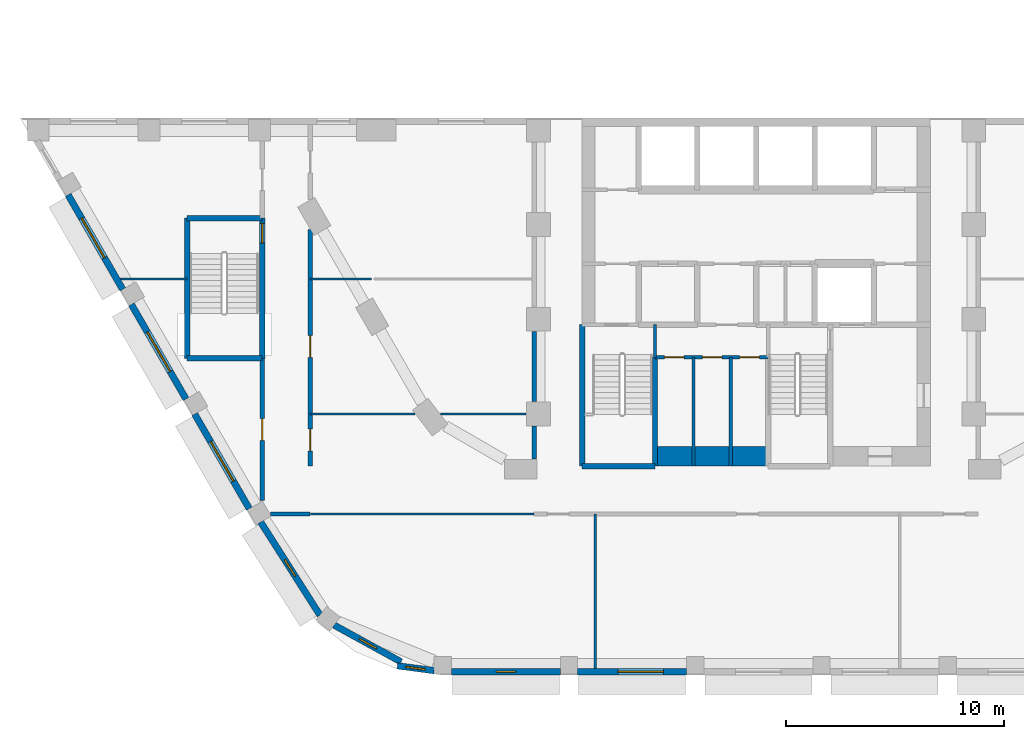
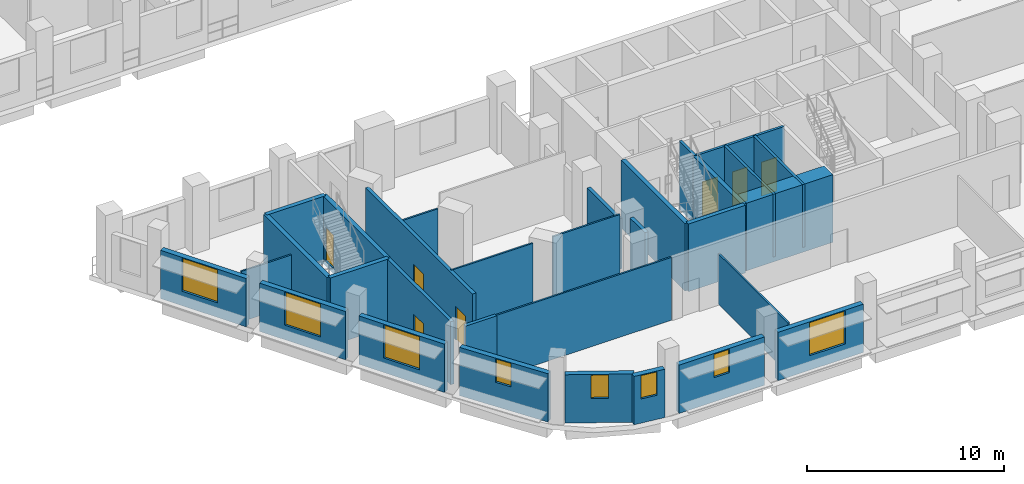
# One storey, part 19 of 47: 31 walls, 8 windows, 7 doors, 15 openings.
"""IFC4 building model written with IfcOpenShell, lengths in metres."""

from ifc_helpers import new_model, si_unit, direction, frame, frame_2d, origin, place, context, subcontext, project, spatial, rectangle, extrude, material, layer, layer_set, type_object, element, fill, save


model = new_model("IFC4")

# Units and contexts
model_context = context("Model", 3, precision=1e-05, world=origin(), true_north=direction((0.0, 1.0)))
body_context = subcontext(model_context, "Body", "Model", "MODEL_VIEW")
ifc_project = project(units=[si_unit("LENGTHUNIT", "METRE"), si_unit("AREAUNIT", "SQUARE_METRE"), si_unit("VOLUMEUNIT", "CUBIC_METRE"), si_unit("PLANEANGLEUNIT", "RADIAN"), si_unit("MASSUNIT", "GRAM", prefix="KILO")], contexts=[model_context])

# Site, building, storey
site_placement = place(None, origin())
site = spatial("IfcSite", under=ifc_project, at=site_placement, CompositionType="ELEMENT")
building_placement = place(site_placement, origin())
building = spatial("IfcBuilding", under=site, at=building_placement, Name="Nakaniwa Court", CompositionType="ELEMENT")
storey_placement = place(building_placement, frame((0.0, 0.0, 15.60009765625)))
storey = spatial("IfcBuildingStorey", under=building, at=storey_placement, Name="L03", CompositionType="ELEMENT", Elevation=15.60009765625)

# Wall, opening, door
ifc_material_1 = material(Name="Acoustic double stud partition")
ifc_layer_1 = layer(ifc_material_1, 0.199951171875)
ifc_layer_set_1 = layer_set([ifc_layer_1], Name="Acoustic double stud partition")
wall_type_1 = type_object("IfcWallType", Name="Acoustic double stud partition 200", PredefinedType="PARTITIONING", material=ifc_layer_set_1)
wall_1_placement = place(storey_placement, frame((57.300048828125, 55.0087890625, 0.0), z_axis=(0.0, 0.0, 1.0), x_axis=(0.0, 1.0, 0.0)))
wall_1 = element("IfcWall", 1, at=wall_1_placement, inside=storey, type_object=wall_type_1, Name="Partition PW-094", PredefinedType="PARTITIONING", context=body_context, shape_type="SweptSolid", body=[
    extrude(rectangle(XDim=6.544189453125, YDim=0.199951171875, at=frame_2d((3.27197265625, 0.0))), origin(), (0.0, 0.0, 1.0), 3.89990234375),
])
opening_1_placement = place(wall_1_placement, frame((2.77197265625, 0.0, 0.0)))
opening_1 = element("IfcOpeningElement", 2, at=opening_1_placement, cuts=wall_1, Name="Opening D-02-13", PredefinedType="OPENING", context=body_context, shape_type="SweptSolid", body=[
    extrude(rectangle(XDim=1.0, YDim=2.10009765625, at=frame_2d((0.5, 1.050048828125))), frame((0.0, 0.10986328125, 0.0), z_axis=(0.0, -1.0, 0.0), x_axis=(1.0, 0.0, 0.0)), (0.0, 0.0, 1.0), 0.219970703125),
])
ifc_material_2 = material(Name="Solid core timber door set, black veneer", Category="wood")
door_type_1 = type_object("IfcDoorType", Name="Internal door 1000", OperationType="NOTDEFINED", PredefinedType="DOOR", material=ifc_material_2)
door_1_placement = place(opening_1_placement, origin())
door_1 = element("IfcDoor", 3, at=door_1_placement, inside=storey, type_object=door_type_1, Name="Door D-02-13 L03-045", OperationType="SINGLE_SWING_RIGHT", OverallHeight=2.10009765625, OverallWidth=1.0, PredefinedType="DOOR", context=body_context, shape_type="SweptSolid", body=[
    extrude(rectangle(XDim=1.0, YDim=2.10009765625, at=frame_2d((0.5, 1.050048828125))), frame((0.0, 0.02490234375, 0.0), z_axis=(0.0, -1.0, 0.0), x_axis=(1.0, 0.0, 0.0)), (0.0, 0.0, 1.0), 0.050048828125),
])
fill(opening_1, door_1)

# Wall, openings, doors
wall_2_placement = place(storey_placement, frame((59.5, 67.47021484375, 0.0), z_axis=(0.0, 0.0, 1.0), x_axis=(0.0, -1.0, 0.0)))
wall_2 = element("IfcWall", 4, at=wall_2_placement, inside=storey, type_object=wall_type_1, Name="Partition PW-098", PredefinedType="PARTITIONING", context=body_context, shape_type="SweptSolid", body=[
    extrude(rectangle(XDim=10.873291015625, YDim=0.199951171875, at=frame_2d((5.4365234375, 0.0))), origin(), (0.0, 0.0, 1.0), 3.89990234375),
])
opening_2_placement = place(wall_2_placement, frame((4.8701171875, 0.0, 0.0)))
opening_2 = element("IfcOpeningElement", 5, at=opening_2_placement, cuts=wall_2, Name="Opening D-02-18", PredefinedType="OPENING", context=body_context, shape_type="SweptSolid", body=[
    extrude(rectangle(XDim=1.0, YDim=2.10009765625, at=frame_2d((0.5, 1.050048828125))), frame((0.0, 0.10986328125, 0.0), z_axis=(0.0, -1.0, 0.0), x_axis=(1.0, 0.0, 0.0)), (0.0, 0.0, 1.0), 0.219970703125),
])
opening_3_placement = place(wall_2_placement, frame((9.169921875, 0.0, 0.0)))
opening_3 = element("IfcOpeningElement", 6, at=opening_3_placement, cuts=wall_2, Name="Opening D-02-19", PredefinedType="OPENING", context=body_context, shape_type="SweptSolid", body=[
    extrude(rectangle(XDim=1.0, YDim=2.10009765625, at=frame_2d((0.5, 1.050048828125))), frame((0.0, 0.10986328125, 0.0), z_axis=(0.0, -1.0, 0.0), x_axis=(1.0, 0.0, 0.0)), (0.0, 0.0, 1.0), 0.219970703125),
])
door_2_placement = place(opening_2_placement, origin())
door_2 = element("IfcDoor", 7, at=door_2_placement, inside=storey, type_object=door_type_1, Name="Door D-02-18 L03-050", OperationType="SINGLE_SWING_LEFT", OverallHeight=2.10009765625, OverallWidth=1.0, PredefinedType="DOOR", context=body_context, shape_type="SweptSolid", body=[
    extrude(rectangle(XDim=1.0, YDim=2.10009765625, at=frame_2d((0.5, 1.050048828125))), frame((0.0, 0.02490234375, 0.0), z_axis=(0.0, -1.0, 0.0), x_axis=(1.0, 0.0, 0.0)), (0.0, 0.0, 1.0), 0.050048828125),
])
fill(opening_2, door_2)
door_3_placement = place(opening_3_placement, origin())
door_3 = element("IfcDoor", 8, at=door_3_placement, inside=storey, type_object=door_type_1, Name="Door D-02-19 L03-051", OperationType="SINGLE_SWING_RIGHT", OverallHeight=2.10009765625, OverallWidth=1.0, PredefinedType="DOOR", context=body_context, shape_type="SweptSolid", body=[
    extrude(rectangle(XDim=1.0, YDim=2.10009765625, at=frame_2d((0.5, 1.050048828125))), frame((0.0, 0.02490234375, 0.0), z_axis=(0.0, -1.0, 0.0), x_axis=(1.0, 0.0, 0.0)), (0.0, 0.0, 1.0), 0.050048828125),
])
fill(opening_3, door_3)

# Walls
wall_3_placement = place(storey_placement, frame((69.800048828125, 56.9169921875, 0.0), z_axis=(0.0, 0.0, 1.0), x_axis=(0.0, 1.0, 0.0)))
element("IfcWall", 9, at=wall_3_placement, inside=storey, type_object=wall_type_1, Name="Partition PW-110", PredefinedType="PARTITIONING", context=body_context, shape_type="SweptSolid", body=[
    extrude(rectangle(XDim=1.51611328125, YDim=0.199951171875, at=frame_2d((0.758056640625, 0.0))), origin(), (0.0, 0.0, 1.0), 3.89990234375),
])
wall_4_placement = place(storey_placement, frame((69.800048828125, 59.56689453125, 0.0), z_axis=(0.0, 0.0, 1.0), x_axis=(0.0, 1.0, 0.0)))
element("IfcWall", 10, at=wall_4_placement, inside=storey, type_object=wall_type_1, Name="Partition PW-111", PredefinedType="PARTITIONING", context=body_context, shape_type="SweptSolid", body=[
    extrude(rectangle(XDim=3.216064453125, YDim=0.199951171875, at=frame_2d((1.60791015625, 0.0))), origin(), (0.0, 0.0, 1.0), 3.1298828125),
])
wall_5_placement = place(storey_placement, frame((57.676513671875, 54.39990234375, 0.0), z_axis=(0.0, 0.0, 1.0), x_axis=(1.0, 0.0, 0.0)))
element("IfcWall", 11, at=wall_5_placement, inside=storey, type_object=wall_type_1, Name="Partition PW-132", PredefinedType="PARTITIONING", context=body_context, shape_type="SweptSolid", body=[
    extrude(rectangle(XDim=1.823486328125, YDim=0.199951171875, at=frame_2d((0.91162109375, 0.0))), origin(), (0.0, 0.0, 1.0), 3.89990234375),
])

# Wall, opening, window
ifc_material_3 = material(Name="Charcoal ceramic cladding")
ifc_layer_2 = layer(ifc_material_3, 0.02, Name="Ceramic cladding")
ifc_material_4 = material(Name="Ventilated air cavity")
ifc_layer_3 = layer(ifc_material_4, 0.04, ventilated=True, Name="Ventilated cavity")
ifc_material_5 = material(Name="Mineral wool insulation")
ifc_layer_4 = layer(ifc_material_5, 0.1, Name="Insulation")
ifc_material_6 = material(Name="Cement bonded sheathing board")
ifc_layer_5 = layer(ifc_material_6, 0.012, Name="Sheathing")
ifc_material_7 = material(Name="Cold-formed galvanised stud frame with mineral wool infill")
ifc_layer_6 = layer(ifc_material_7, 0.1, Name="Stud frame")
ifc_material_8 = material(Name="Fire-rated gypsum plasterboard lining")
ifc_layer_7 = layer(ifc_material_8, 0.028, Name="Lining")
ifc_layer_set_2 = layer_set([ifc_layer_2, ifc_layer_3, ifc_layer_4, ifc_layer_5, ifc_layer_6, ifc_layer_7], Name="Charcoal ceramic faced external wall system")
wall_type_2 = type_object("IfcWallType", Name="Black ceramic faced external wall 300", PredefinedType="SOLIDWALL", material=ifc_layer_set_2)
wall_6_placement = place(storey_placement, frame((48.37890625, 69.0693359375, 0.0), z_axis=(0.0, 0.0, 1.0), x_axis=(0.500011252833, -0.866018906861, 0.0)))
wall_6 = element("IfcWall", 12, at=wall_6_placement, inside=storey, type_object=wall_type_2, Name="L03 external wall 13", PredefinedType="SOLIDWALL", context=body_context, shape_type="SweptSolid", body=[
    extrude(rectangle(XDim=5.02490234375, YDim=0.300048828125, at=frame_2d((2.512451171875, 0.0))), origin(), (0.0, 0.0, 1.0), 3.0),
])
opening_4_placement = place(wall_6_placement, frame((1.2451171875, 0.0, 0.89990234375)))
opening_4 = element("IfcOpeningElement", 13, at=opening_4_placement, cuts=wall_6, Name="Opening W2.10", PredefinedType="OPENING", context=body_context, shape_type="SweptSolid", body=[
    extrude(rectangle(XDim=2.10009765625, YDim=2.050048828125, at=frame_2d((1.050048828125, 1.02490234375))), frame((0.0, 0.159912109375, 0.0), z_axis=(0.0, -1.0, 0.0), x_axis=(1.0, 0.0, 0.0)), (0.0, 0.0, 1.0), 0.320068359375),
])
ifc_material_9 = material(Name="Black anodised aluminium frame with dark low-E laminated double glazing", Category="aluminium")
window_type_1 = type_object("IfcWindowType", Name="Dark glass window 2100x2050 sill 900", PartitioningType="SINGLE_PANEL", PredefinedType="WINDOW", material=ifc_material_9)
window_1_placement = place(opening_4_placement, origin())
window_1 = element("IfcWindow", 14, at=window_1_placement, inside=storey, type_object=window_type_1, Name="L03 habitable room window 13-0", OverallHeight=2.050048828125, OverallWidth=2.10009765625, PartitioningType="SINGLE_PANEL", PredefinedType="WINDOW", context=body_context, shape_type="SweptSolid", body=[
    extrude(rectangle(XDim=2.10009765625, YDim=2.050048828125, at=frame_2d((1.050048828125, 1.02490234375))), frame((0.0, 0.030029296875, 0.0), z_axis=(0.0, -1.0, 0.0), x_axis=(1.0, 0.0, 0.0)), (0.0, 0.0, 1.0), 0.06005859375),
])
fill(opening_4, window_1)

wall_7_placement = place(storey_placement, frame((51.287353515625, 64.031982421875, 0.0), z_axis=(0.0, 0.0, 1.0), x_axis=(0.499974811625, -0.866039945811, 0.0)))
wall_7 = element("IfcWall", 15, at=wall_7_placement, inside=storey, type_object=wall_type_2, Name="L03 external wall 14", PredefinedType="SOLIDWALL", context=body_context, shape_type="SweptSolid", body=[
    extrude(rectangle(XDim=5.024658203125, YDim=0.300048828125, at=frame_2d((2.51220703125, 0.0))), origin(), (0.0, 0.0, 1.0), 3.0),
])
opening_5_placement = place(wall_7_placement, frame((1.46240234375, 0.0, 0.89990234375)))
opening_5 = element("IfcOpeningElement", 16, at=opening_5_placement, cuts=wall_7, Name="Opening W2.11", PredefinedType="OPENING", context=body_context, shape_type="SweptSolid", body=[
    extrude(rectangle(XDim=2.10009765625, YDim=2.050048828125, at=frame_2d((1.050048828125, 1.02490234375))), frame((0.0, 0.159912109375, 0.0), z_axis=(0.0, -1.0, 0.0), x_axis=(1.0, 0.0, 0.0)), (0.0, 0.0, 1.0), 0.320068359375),
])
window_2_placement = place(opening_5_placement, origin())
window_2 = element("IfcWindow", 17, at=window_2_placement, inside=storey, type_object=window_type_1, Name="L03 habitable room window 14-0", OverallHeight=2.050048828125, OverallWidth=2.10009765625, PartitioningType="SINGLE_PANEL", PredefinedType="WINDOW", context=body_context, shape_type="SweptSolid", body=[
    extrude(rectangle(XDim=2.10009765625, YDim=2.050048828125, at=frame_2d((1.050048828125, 1.02490234375))), frame((0.0, 0.030029296875, 0.0), z_axis=(0.0, -1.0, 0.0), x_axis=(1.0, 0.0, 0.0)), (0.0, 0.0, 1.0), 0.06005859375),
])
fill(opening_5, window_2)

wall_8_placement = place(storey_placement, frame((54.195556640625, 58.994384765625, 0.0), z_axis=(0.0, 0.0, 1.0), x_axis=(0.500011252833, -0.866018906861, 0.0)))
wall_8 = element("IfcWall", 18, at=wall_8_placement, inside=storey, type_object=wall_type_2, Name="L03 external wall 15", PredefinedType="SOLIDWALL", context=body_context, shape_type="SweptSolid", body=[
    extrude(rectangle(XDim=5.02490234375, YDim=0.300048828125, at=frame_2d((2.512451171875, 0.0))), origin(), (0.0, 0.0, 1.0), 3.0),
])
opening_6_placement = place(wall_8_placement, frame((1.46240234375, 0.0, 0.89990234375)))
opening_6 = element("IfcOpeningElement", 19, at=opening_6_placement, cuts=wall_8, Name="Opening W2.12", PredefinedType="OPENING", context=body_context, shape_type="SweptSolid", body=[
    extrude(rectangle(XDim=2.10009765625, YDim=2.050048828125, at=frame_2d((1.050048828125, 1.02490234375))), frame((0.0, 0.159912109375, 0.0), z_axis=(0.0, -1.0, 0.0), x_axis=(1.0, 0.0, 0.0)), (0.0, 0.0, 1.0), 0.320068359375),
])
window_3_placement = place(opening_6_placement, origin())
window_3 = element("IfcWindow", 20, at=window_3_placement, inside=storey, type_object=window_type_1, Name="L03 habitable room window 15-0", OverallHeight=2.050048828125, OverallWidth=2.10009765625, PartitioningType="SINGLE_PANEL", PredefinedType="WINDOW", context=body_context, shape_type="SweptSolid", body=[
    extrude(rectangle(XDim=2.10009765625, YDim=2.050048828125, at=frame_2d((1.050048828125, 1.02490234375))), frame((0.0, 0.030029296875, 0.0), z_axis=(0.0, -1.0, 0.0), x_axis=(1.0, 0.0, 0.0)), (0.0, 0.0, 1.0), 0.06005859375),
])
fill(opening_6, window_3)

wall_9_placement = place(storey_placement, frame((57.2294921875, 54.029296875, 0.0), z_axis=(0.0, 0.0, 1.0), x_axis=(0.537224370512, -0.843439372882, 0.0)))
wall_9 = element("IfcWall", 21, at=wall_9_placement, inside=storey, type_object=wall_type_2, Name="L03 external wall 16", PredefinedType="SOLIDWALL", context=body_context, shape_type="SweptSolid", body=[
    extrude(rectangle(XDim=5.07080078125, YDim=0.300048828125, at=frame_2d((2.535400390625, 0.0))), origin(), (0.0, 0.0, 1.0), 3.0),
])
opening_7_placement = place(wall_9_placement, frame((2.0576171875, 0.0, 1.5)))
opening_7 = element("IfcOpeningElement", 22, at=opening_7_placement, cuts=wall_9, Name="Opening W3.13", PredefinedType="OPENING", context=body_context, shape_type="SweptSolid", body=[
    extrude(rectangle(XDim=0.89990234375, YDim=1.449951171875, at=frame_2d((0.449951171875, 0.72509765625))), frame((0.0, 0.159912109375, 0.0), z_axis=(0.0, -1.0, 0.0), x_axis=(1.0, 0.0, 0.0)), (0.0, 0.0, 1.0), 0.320068359375),
])
window_type_2 = type_object("IfcWindowType", Name="Dark glass window 900x1450 sill 1500", PartitioningType="SINGLE_PANEL", PredefinedType="WINDOW", material=ifc_material_9)
window_4_placement = place(opening_7_placement, origin())
window_4 = element("IfcWindow", 23, at=window_4_placement, inside=storey, type_object=window_type_2, Name="L03 bathroom window 16-0", OverallHeight=1.449951171875, OverallWidth=0.89990234375, PartitioningType="SINGLE_PANEL", PredefinedType="WINDOW", context=body_context, shape_type="SweptSolid", body=[
    extrude(rectangle(XDim=0.89990234375, YDim=1.449951171875, at=frame_2d((0.449951171875, 0.72509765625))), frame((0.0, 0.030029296875, 0.0), z_axis=(0.0, -1.0, 0.0), x_axis=(1.0, 0.0, 0.0)), (0.0, 0.0, 1.0), 0.06005859375),
])
fill(opening_7, window_4)

wall_10_placement = place(storey_placement, frame((60.6005859375, 49.29443359375, 0.0), z_axis=(0.0, 0.0, 1.0), x_axis=(0.876502039768, -0.481398145284, 0.0)))
wall_10 = element("IfcWall", 24, at=wall_10_placement, inside=storey, type_object=wall_type_2, Name="L03 external wall 17", PredefinedType="SOLIDWALL", context=body_context, shape_type="SweptSolid", body=[
    extrude(rectangle(XDim=3.510986328125, YDim=0.300048828125, at=frame_2d((1.75537109375, 0.0))), origin(), (0.0, 0.0, 1.0), 3.0),
])
opening_8_placement = place(wall_10_placement, frame((1.33056640625, 0.0, 1.5)))
opening_8 = element("IfcOpeningElement", 25, at=opening_8_placement, cuts=wall_10, Name="Opening W3.14", PredefinedType="OPENING", context=body_context, shape_type="SweptSolid", body=[
    extrude(rectangle(XDim=0.89990234375, YDim=1.449951171875, at=frame_2d((0.449951171875, 0.72509765625))), frame((0.0, 0.159912109375, 0.0), z_axis=(0.0, -1.0, 0.0), x_axis=(1.0, 0.0, 0.0)), (0.0, 0.0, 1.0), 0.320068359375),
])
window_5_placement = place(opening_8_placement, origin())
window_5 = element("IfcWindow", 26, at=window_5_placement, inside=storey, type_object=window_type_2, Name="L03 bathroom window 17-0", OverallHeight=1.449951171875, OverallWidth=0.89990234375, PartitioningType="SINGLE_PANEL", PredefinedType="WINDOW", context=body_context, shape_type="SweptSolid", body=[
    extrude(rectangle(XDim=0.89990234375, YDim=1.449951171875, at=frame_2d((0.449951171875, 0.72509765625))), frame((0.0, 0.030029296875, 0.0), z_axis=(0.0, -1.0, 0.0), x_axis=(1.0, 0.0, 0.0)), (0.0, 0.0, 1.0), 0.06005859375),
])
fill(opening_8, window_5)

wall_11_placement = place(storey_placement, frame((63.515380859375, 47.42138671875, 0.0), z_axis=(0.0, 0.0, 1.0), x_axis=(0.991431291018, -0.130629227937, 0.0)))
wall_11 = element("IfcWall", 27, at=wall_11_placement, inside=storey, type_object=wall_type_2, Name="L03 external wall 18", PredefinedType="SOLIDWALL", context=body_context, shape_type="SweptSolid", body=[
    extrude(rectangle(XDim=1.698974609375, YDim=0.300048828125, at=frame_2d((0.849609375, 0.0))), origin(), (0.0, 0.0, 1.0), 3.0),
])
opening_9_placement = place(wall_11_placement, frame((0.376220703125, 0.0, 1.5)))
opening_9 = element("IfcOpeningElement", 28, at=opening_9_placement, cuts=wall_11, Name="Opening W3.15", PredefinedType="OPENING", context=body_context, shape_type="SweptSolid", body=[
    extrude(rectangle(XDim=0.89990234375, YDim=1.449951171875, at=frame_2d((0.449951171875, 0.72509765625))), frame((0.0, 0.159912109375, 0.0), z_axis=(0.0, -1.0, 0.0), x_axis=(1.0, 0.0, 0.0)), (0.0, 0.0, 1.0), 0.320068359375),
])
window_6_placement = place(opening_9_placement, origin())
window_6 = element("IfcWindow", 29, at=window_6_placement, inside=storey, type_object=window_type_2, Name="L03 bathroom window 18-0", OverallHeight=1.449951171875, OverallWidth=0.89990234375, PartitioningType="SINGLE_PANEL", PredefinedType="WINDOW", context=body_context, shape_type="SweptSolid", body=[
    extrude(rectangle(XDim=0.89990234375, YDim=1.449951171875, at=frame_2d((0.449951171875, 0.72509765625))), frame((0.0, 0.030029296875, 0.0), z_axis=(0.0, -1.0, 0.0), x_axis=(1.0, 0.0, 0.0)), (0.0, 0.0, 1.0), 0.06005859375),
])
fill(opening_9, window_6)

wall_12_placement = place(storey_placement, frame((65.99169921875, 47.14990234375, 0.0), z_axis=(0.0, 0.0, 1.0), x_axis=(1.0, 0.0, 0.0)))
wall_12 = element("IfcWall", 30, at=wall_12_placement, inside=storey, type_object=wall_type_2, Name="L03 external wall 19", PredefinedType="SOLIDWALL", context=body_context, shape_type="SweptSolid", body=[
    extrude(rectangle(XDim=5.01025390625, YDim=0.300048828125, at=frame_2d((2.505126953125, 0.0))), origin(), (0.0, 0.0, 1.0), 3.0),
])
opening_10_placement = place(wall_12_placement, frame((2.05517578125, 0.0, 1.5)))
opening_10 = element("IfcOpeningElement", 31, at=opening_10_placement, cuts=wall_12, Name="Opening W3.16", PredefinedType="OPENING", context=body_context, shape_type="SweptSolid", body=[
    extrude(rectangle(XDim=0.89990234375, YDim=1.449951171875, at=frame_2d((0.449951171875, 0.72509765625))), frame((0.0, 0.159912109375, 0.0), z_axis=(0.0, -1.0, 0.0), x_axis=(1.0, 0.0, 0.0)), (0.0, 0.0, 1.0), 0.320068359375),
])
window_7_placement = place(opening_10_placement, origin())
window_7 = element("IfcWindow", 32, at=window_7_placement, inside=storey, type_object=window_type_2, Name="L03 bathroom window 19-0", OverallHeight=1.449951171875, OverallWidth=0.89990234375, PartitioningType="SINGLE_PANEL", PredefinedType="WINDOW", context=body_context, shape_type="SweptSolid", body=[
    extrude(rectangle(XDim=0.89990234375, YDim=1.449951171875, at=frame_2d((0.449951171875, 0.72509765625))), frame((0.0, 0.030029296875, 0.0), z_axis=(0.0, -1.0, 0.0), x_axis=(1.0, 0.0, 0.0)), (0.0, 0.0, 1.0), 0.06005859375),
])
fill(opening_10, window_7)

wall_13_placement = place(storey_placement, frame((71.7939453125, 47.14990234375, 0.0), z_axis=(0.0, 0.0, 1.0), x_axis=(1.0, 0.0, 0.0)))
wall_13 = element("IfcWall", 33, at=wall_13_placement, inside=storey, type_object=wall_type_2, Name="L03 external wall 20", PredefinedType="SOLIDWALL", context=body_context, shape_type="SweptSolid", body=[
    extrude(rectangle(XDim=5.01025390625, YDim=0.300048828125, at=frame_2d((2.505126953125, 0.0))), origin(), (0.0, 0.0, 1.0), 3.0),
])
opening_11_placement = place(wall_13_placement, frame((1.84619140625, 0.0, 0.89990234375)))
opening_11 = element("IfcOpeningElement", 34, at=opening_11_placement, cuts=wall_13, Name="Opening W2.17", PredefinedType="OPENING", context=body_context, shape_type="SweptSolid", body=[
    extrude(rectangle(XDim=2.10009765625, YDim=2.050048828125, at=frame_2d((1.050048828125, 1.02490234375))), frame((0.0, 0.159912109375, 0.0), z_axis=(0.0, -1.0, 0.0), x_axis=(1.0, 0.0, 0.0)), (0.0, 0.0, 1.0), 0.320068359375),
])
window_8_placement = place(opening_11_placement, origin())
window_8 = element("IfcWindow", 35, at=window_8_placement, inside=storey, type_object=window_type_1, Name="L03 habitable room window 20-1", OverallHeight=2.050048828125, OverallWidth=2.10009765625, PartitioningType="SINGLE_PANEL", PredefinedType="WINDOW", context=body_context, shape_type="SweptSolid", body=[
    extrude(rectangle(XDim=2.10009765625, YDim=2.050048828125, at=frame_2d((1.050048828125, 1.02490234375))), frame((0.0, 0.030029296875, 0.0), z_axis=(0.0, -1.0, 0.0), x_axis=(1.0, 0.0, 0.0)), (0.0, 0.0, 1.0), 0.06005859375),
])
fill(opening_11, window_8)

# Wall, openings, doors
ifc_material_10 = material(Name="Blockwork partition", Category="masonry")
ifc_layer_8 = layer(ifc_material_10, 0.14990234375)
ifc_layer_set_3 = layer_set([ifc_layer_8], Name="Blockwork partition")
wall_type_3 = type_object("IfcWallType", Name="Blockwork partition 150", PredefinedType="PARTITIONING", material=ifc_layer_set_3)
wall_14_placement = place(storey_placement, frame((80.550048828125, 61.60009765625, 0.0), z_axis=(0.0, 0.0, 1.0), x_axis=(-1.0, 0.0, 0.0)))
wall_14 = element("IfcWall", 36, at=wall_14_placement, inside=storey, type_object=wall_type_3, Name="Partition PW-076", PredefinedType="PARTITIONING", context=body_context, shape_type="SweptSolid", body=[
    extrude(rectangle(XDim=5.199951171875, YDim=0.14990234375, at=frame_2d((2.60009765625, 0.0))), origin(), (0.0, 0.0, 1.0), 3.89990234375),
])
opening_12_placement = place(wall_14_placement, frame((3.865966796875, 0.0, 0.0)))
opening_12 = element("IfcOpeningElement", 37, at=opening_12_placement, cuts=wall_14, Name="Opening D-05-16", PredefinedType="OPENING", context=body_context, shape_type="SweptSolid", body=[
    extrude(rectangle(XDim=0.89990234375, YDim=2.10009765625, at=frame_2d((0.449951171875, 1.050048828125))), frame((0.0, 0.0849609375, 0.0), z_axis=(0.0, -1.0, 0.0), x_axis=(1.0, 0.0, 0.0)), (0.0, 0.0, 1.0), 0.169921875),
])
opening_13_placement = place(wall_14_placement, frame((2.1240234375, 0.0, 0.0)))
opening_13 = element("IfcOpeningElement", 38, at=opening_13_placement, cuts=wall_14, Name="Opening D-05-17", PredefinedType="OPENING", context=body_context, shape_type="SweptSolid", body=[
    extrude(rectangle(XDim=0.89990234375, YDim=2.10009765625, at=frame_2d((0.449951171875, 1.050048828125))), frame((0.0, 0.0849609375, 0.0), z_axis=(0.0, -1.0, 0.0), x_axis=(1.0, 0.0, 0.0)), (0.0, 0.0, 1.0), 0.169921875),
])
opening_14_placement = place(wall_14_placement, frame((0.407958984375, 0.0, 0.0)))
opening_14 = element("IfcOpeningElement", 39, at=opening_14_placement, cuts=wall_14, Name="Opening D-05-18", PredefinedType="OPENING", context=body_context, shape_type="SweptSolid", body=[
    extrude(rectangle(XDim=0.89990234375, YDim=2.10009765625, at=frame_2d((0.449951171875, 1.050048828125))), frame((0.0, 0.0849609375, 0.0), z_axis=(0.0, -1.0, 0.0), x_axis=(1.0, 0.0, 0.0)), (0.0, 0.0, 1.0), 0.169921875),
])
ifc_material_11 = material(Name="Fire rated steel door set", Category="steel")
door_type_2 = type_object("IfcDoorType", Name="Service room door 900", OperationType="NOTDEFINED", PredefinedType="DOOR", material=ifc_material_11)
door_4_placement = place(opening_12_placement, origin())
door_4 = element("IfcDoor", 40, at=door_4_placement, inside=storey, type_object=door_type_2, Name="Door D-05-16 L03-024", OperationType="SINGLE_SWING_LEFT", OverallHeight=2.10009765625, OverallWidth=0.89990234375, PredefinedType="DOOR", context=body_context, shape_type="SweptSolid", body=[
    extrude(rectangle(XDim=0.89990234375, YDim=2.10009765625, at=frame_2d((0.449951171875, 1.050048828125))), frame((0.0, 0.02490234375, 0.0), z_axis=(0.0, -1.0, 0.0), x_axis=(1.0, 0.0, 0.0)), (0.0, 0.0, 1.0), 0.050048828125),
])
fill(opening_12, door_4)
door_5_placement = place(opening_13_placement, origin())
door_5 = element("IfcDoor", 41, at=door_5_placement, inside=storey, type_object=door_type_2, Name="Door D-05-17 L03-025", OperationType="SINGLE_SWING_RIGHT", OverallHeight=2.10009765625, OverallWidth=0.89990234375, PredefinedType="DOOR", context=body_context, shape_type="SweptSolid", body=[
    extrude(rectangle(XDim=0.89990234375, YDim=2.10009765625, at=frame_2d((0.449951171875, 1.050048828125))), frame((0.0, 0.02490234375, 0.0), z_axis=(0.0, -1.0, 0.0), x_axis=(1.0, 0.0, 0.0)), (0.0, 0.0, 1.0), 0.050048828125),
])
fill(opening_13, door_5)
door_6_placement = place(opening_14_placement, origin())
door_6 = element("IfcDoor", 42, at=door_6_placement, inside=storey, type_object=door_type_2, Name="Door D-05-18 L03-026", OperationType="SINGLE_SWING_LEFT", OverallHeight=2.10009765625, OverallWidth=0.89990234375, PredefinedType="DOOR", context=body_context, shape_type="SweptSolid", body=[
    extrude(rectangle(XDim=0.89990234375, YDim=2.10009765625, at=frame_2d((0.449951171875, 1.050048828125))), frame((0.0, 0.02490234375, 0.0), z_axis=(0.0, -1.0, 0.0), x_axis=(1.0, 0.0, 0.0)), (0.0, 0.0, 1.0), 0.050048828125),
])
fill(opening_14, door_6)

# Walls
for number, where, z_axis, x_axis, name in (
    (43, (77.117919921875, 56.60009765625, 0.0), (0.0, 0.0, 1.0), (0.0, 1.0, 0.0), "Partition PW-077"),
    (44, (78.833984375, 56.60009765625, 0.0), (0.0, 0.0, 1.0), (0.0, 1.0, 0.0), "Partition PW-078"),
):
    element("IfcWall", number, at=place(storey_placement, frame(where, z_axis=z_axis, x_axis=x_axis)), inside=storey, type_object=wall_type_3, Name=name, PredefinedType="PARTITIONING", context=body_context, shape_type="SweptSolid", body=[
        extrude(rectangle(XDim=5.0, YDim=0.14990234375, at=frame_2d((2.5, 0.0))), origin(), (0.0, 0.0, 1.0), 3.89990234375),
    ])
ifc_material_12 = material(Name="Concrete C100/115", Category="concrete")
ifc_layer_9 = layer(ifc_material_12, 0.14990234375)
ifc_layer_set_4 = layer_set([ifc_layer_9], Name="Concrete C100/115")
wall_type_4 = type_object("IfcWallType", Name="Concrete core wall 150 C100", PredefinedType="SHEAR", material=ifc_layer_set_4)
wall_15_placement = place(storey_placement, frame((75.35009765625, 61.596923828125, -0.300048828125), z_axis=(0.0, 0.0, 1.0), x_axis=(0.0, 1.0, 0.0)))
element("IfcWall", 45, at=wall_15_placement, inside=storey, type_object=wall_type_4, Name="Core wall SW-66", PredefinedType="SHEAR", context=body_context, shape_type="SweptSolid", body=[
    extrude(rectangle(XDim=1.503173828125, YDim=0.14990234375, at=frame_2d((0.75146484375, 0.0))), origin(), (0.0, 0.0, 1.0), 4.199951171875),
])
ifc_layer_10 = layer(ifc_material_12, 0.25)
ifc_layer_set_5 = layer_set([ifc_layer_10], Name="Concrete C100/115")
wall_type_5 = type_object("IfcWallType", Name="Concrete core wall 250 C100", PredefinedType="SHEAR", material=ifc_layer_set_5)
wall_16_placement = place(storey_placement, frame((72.0, 56.60009765625, -0.300048828125), z_axis=(0.0, 0.0, 1.0), x_axis=(0.0, 1.0, 0.0)))
element("IfcWall", 46, at=wall_16_placement, inside=storey, type_object=wall_type_5, Name="Core wall SW-68", PredefinedType="SHEAR", context=body_context, shape_type="SweptSolid", body=[
    extrude(rectangle(XDim=6.5, YDim=0.25, at=frame_2d((3.25, 0.0))), origin(), (0.0, 0.0, 1.0), 4.199951171875),
])
wall_17_placement = place(storey_placement, frame((72.0, 56.60009765625, -0.300048828125), z_axis=(0.0, 0.0, 1.0), x_axis=(1.0, 0.0, 0.0)))
element("IfcWall", 47, at=wall_17_placement, inside=storey, type_object=wall_type_5, Name="Core wall SW-69", PredefinedType="SHEAR", context=body_context, shape_type="SweptSolid", body=[
    extrude(rectangle(XDim=3.35009765625, YDim=0.25, at=frame_2d((1.675048828125, 0.0))), origin(), (0.0, 0.0, 1.0), 4.199951171875),
])

# Wall, opening, door
wall_18_placement = place(storey_placement, frame((57.300048828125, 68.0029296875, -0.300048828125), z_axis=(0.0, 0.0, 1.0), x_axis=(0.0, -1.0, 0.0)))
wall_18 = element("IfcWall", 48, at=wall_18_placement, inside=storey, type_object=wall_type_5, Name="Core wall SW-92", PredefinedType="SHEAR", context=body_context, shape_type="SweptSolid", body=[
    extrude(rectangle(XDim=6.455810546875, YDim=0.25, at=frame_2d((3.22802734375, 0.0))), origin(), (0.0, 0.0, 1.0), 4.199951171875),
])
opening_15_placement = place(wall_18_placement, frame((0.25, 0.0, 0.300048828125)))
opening_15 = element("IfcOpeningElement", 49, at=opening_15_placement, cuts=wall_18, Name="Opening D-11-06", PredefinedType="OPENING", context=body_context, shape_type="SweptSolid", body=[
    extrude(rectangle(XDim=0.89990234375, YDim=2.10009765625, at=frame_2d((0.449951171875, 1.050048828125))), frame((0.0, 0.135009765625, 0.0), z_axis=(0.0, -1.0, 0.0), x_axis=(1.0, 0.0, 0.0)), (0.0, 0.0, 1.0), 0.27001953125),
])
door_type_3 = type_object("IfcDoorType", Name="Stair door 900", OperationType="NOTDEFINED", PredefinedType="DOOR", material=ifc_material_11)
door_7_placement = place(opening_15_placement, origin())
door_7 = element("IfcDoor", 50, at=door_7_placement, inside=storey, type_object=door_type_3, Name="Door D-11-06 L03-041", OperationType="SINGLE_SWING_LEFT", OverallHeight=2.10009765625, OverallWidth=0.89990234375, PredefinedType="DOOR", context=body_context, shape_type="SweptSolid", body=[
    extrude(rectangle(XDim=0.89990234375, YDim=2.10009765625, at=frame_2d((0.449951171875, 1.050048828125))), frame((0.0, 0.02490234375, 0.0), z_axis=(0.0, -1.0, 0.0), x_axis=(1.0, 0.0, 0.0)), (0.0, 0.0, 1.0), 0.050048828125),
])
fill(opening_15, door_7)

# Walls
wall_19_placement = place(storey_placement, frame((53.85009765625, 61.550048828125, -0.300048828125), z_axis=(0.0, 0.0, 1.0), x_axis=(0.0, 1.0, 0.0)))
element("IfcWall", 51, at=wall_19_placement, inside=storey, type_object=wall_type_5, Name="Core wall SW-124", PredefinedType="SHEAR", context=body_context, shape_type="SweptSolid", body=[
    extrude(rectangle(XDim=6.449951171875, YDim=0.25, at=frame_2d((3.22509765625, 0.0))), origin(), (0.0, 0.0, 1.0), 4.199951171875),
])
for number, where, z_axis, x_axis, name in (
    (52, (53.85009765625, 68.0, -0.300048828125), (0.0, 0.0, 1.0), (1.0, 0.0, 0.0), "Core wall SW-135"),
    (53, (53.85009765625, 61.550048828125, -0.300048828125), (0.0, 0.0, 1.0), (1.0, 0.0, 0.0), "Core wall SW-137"),
):
    element("IfcWall", number, at=place(storey_placement, frame(where, z_axis=z_axis, x_axis=x_axis)), inside=storey, type_object=wall_type_5, Name=name, PredefinedType="SHEAR", context=body_context, shape_type="SweptSolid", body=[
        extrude(rectangle(XDim=3.449951171875, YDim=0.25, at=frame_2d((1.72509765625, 0.0))), origin(), (0.0, 0.0, 1.0), 4.199951171875),
    ])
ifc_layer_11 = layer(ifc_material_12, 0.89990234375)
ifc_layer_set_6 = layer_set([ifc_layer_11], Name="Concrete C100/115")
wall_type_6 = type_object("IfcWallType", Name="Concrete core wall 900 C100", PredefinedType="SHEAR", material=ifc_layer_set_6)
wall_20_placement = place(storey_placement, frame((75.35009765625, 57.050048828125, -0.300048828125), z_axis=(0.0, 0.0, 1.0), x_axis=(1.0, 0.0, 0.0)))
element("IfcWall", 54, at=wall_20_placement, inside=storey, type_object=wall_type_6, Name="Core wall SW-74", PredefinedType="SHEAR", context=body_context, shape_type="SweptSolid", body=[
    extrude(rectangle(XDim=5.199951171875, YDim=0.89990234375, at=frame_2d((2.60009765625, 0.0))), origin(), (0.0, 0.0, 1.0), 4.199951171875),
])
ifc_layer_12 = layer(ifc_material_12, 0.25)
ifc_layer_set_7 = layer_set([ifc_layer_12], Name="Concrete C100/115")
wall_type_7 = type_object("IfcWallType", Name="Concrete shaft wall 250 C100", PredefinedType="SHEAR", material=ifc_layer_set_7)
wall_21_placement = place(storey_placement, frame((75.35009765625, 56.60009765625, -0.300048828125), z_axis=(0.0, 0.0, 1.0), x_axis=(0.0, 1.0, 0.0)))
element("IfcWall", 55, at=wall_21_placement, inside=storey, type_object=wall_type_7, Name="Core wall SW-67", PredefinedType="SHEAR", context=body_context, shape_type="SweptSolid", body=[
    extrude(rectangle(XDim=5.0029296875, YDim=0.25, at=frame_2d((2.50146484375, 0.0))), origin(), (0.0, 0.0, 1.0), 4.199951171875),
])
ifc_material_13 = material(Name="Single stud plasterboard partition")
ifc_layer_13 = layer(ifc_material_13, 0.10009765625)
ifc_layer_set_8 = layer_set([ifc_layer_13], Name="Single stud plasterboard partition")
wall_type_8 = type_object("IfcWallType", Name="Single stud plasterboard partition 100", PredefinedType="PARTITIONING", material=ifc_layer_set_8)
wall_22_placement = place(storey_placement, frame((50.7861328125, 65.199951171875, 0.0), z_axis=(0.0, 0.0, 1.0), x_axis=(1.0, 0.0, 0.0)))
element("IfcWall", 56, at=wall_22_placement, inside=storey, type_object=wall_type_8, Name="Partition PW-139", PredefinedType="PARTITIONING", context=body_context, shape_type="SweptSolid", body=[
    extrude(rectangle(XDim=3.06396484375, YDim=0.10009765625, at=frame_2d((1.531982421875, 0.0))), origin(), (0.0, 0.0, 1.0), 3.1298828125),
])
wall_23_placement = place(storey_placement, frame((59.5, 65.199951171875, 0.0), z_axis=(0.0, 0.0, 1.0), x_axis=(1.0, 0.0, 0.0)))
element("IfcWall", 57, at=wall_23_placement, inside=storey, type_object=wall_type_8, Name="Partition PW-140", PredefinedType="PARTITIONING", context=body_context, shape_type="SweptSolid", body=[
    extrude(rectangle(XDim=2.819580078125, YDim=0.10009765625, at=frame_2d((1.40966796875, 0.0))), origin(), (0.0, 0.0, 1.0), 2.97998046875),
])
wall_24_placement = place(storey_placement, frame((59.5, 59.0, 0.0), z_axis=(0.0, 0.0, 1.0), x_axis=(1.0, 0.0, 0.0)))
element("IfcWall", 58, at=wall_24_placement, inside=storey, type_object=wall_type_8, Name="Partition PW-145", PredefinedType="PARTITIONING", context=body_context, shape_type="SweptSolid", body=[
    extrude(rectangle(XDim=4.810302734375, YDim=0.10009765625, at=frame_2d((2.4052734375, 0.0))), origin(), (0.0, 0.0, 1.0), 3.89990234375),
])
wall_25_placement = place(storey_placement, frame((65.4951171875, 59.0, 0.0), z_axis=(0.0, 0.0, 1.0), x_axis=(1.0, 0.0, 0.0)))
element("IfcWall", 59, at=wall_25_placement, inside=storey, type_object=wall_type_8, Name="Partition PW-146", PredefinedType="PARTITIONING", context=body_context, shape_type="SweptSolid", body=[
    extrude(rectangle(XDim=3.934814453125, YDim=0.10009765625, at=frame_2d((1.96728515625, 0.0))), origin(), (0.0, 0.0, 1.0), 3.89990234375),
])
wall_26_placement = place(storey_placement, frame((72.60009765625, 47.300048828125, 0.0), z_axis=(0.0, 0.0, 1.0), x_axis=(0.0, 1.0, 0.0)))
element("IfcWall", 60, at=wall_26_placement, inside=storey, type_object=wall_type_8, Name="Partition PW-149", PredefinedType="PARTITIONING", context=body_context, shape_type="SweptSolid", body=[
    extrude(rectangle(XDim=7.099853515625, YDim=0.10009765625, at=frame_2d((3.5498046875, 0.0))), origin(), (0.0, 0.0, 1.0), 3.1298828125),
])
wall_27_placement = place(storey_placement, frame((59.52001953125, 54.39990234375, 0.0), z_axis=(0.0, 0.0, 1.0), x_axis=(1.0, 0.0, 0.0)))
element("IfcWall", 61, at=wall_27_placement, inside=storey, type_object=wall_type_8, Name="Partition PW-151", PredefinedType="PARTITIONING", context=body_context, shape_type="SweptSolid", body=[
    extrude(rectangle(XDim=10.260009765625, YDim=0.10009765625, at=frame_2d((5.1298828125, 0.0))), origin(), (0.0, 0.0, 1.0), 3.89990234375),
])

save(model, "model.ifc")
